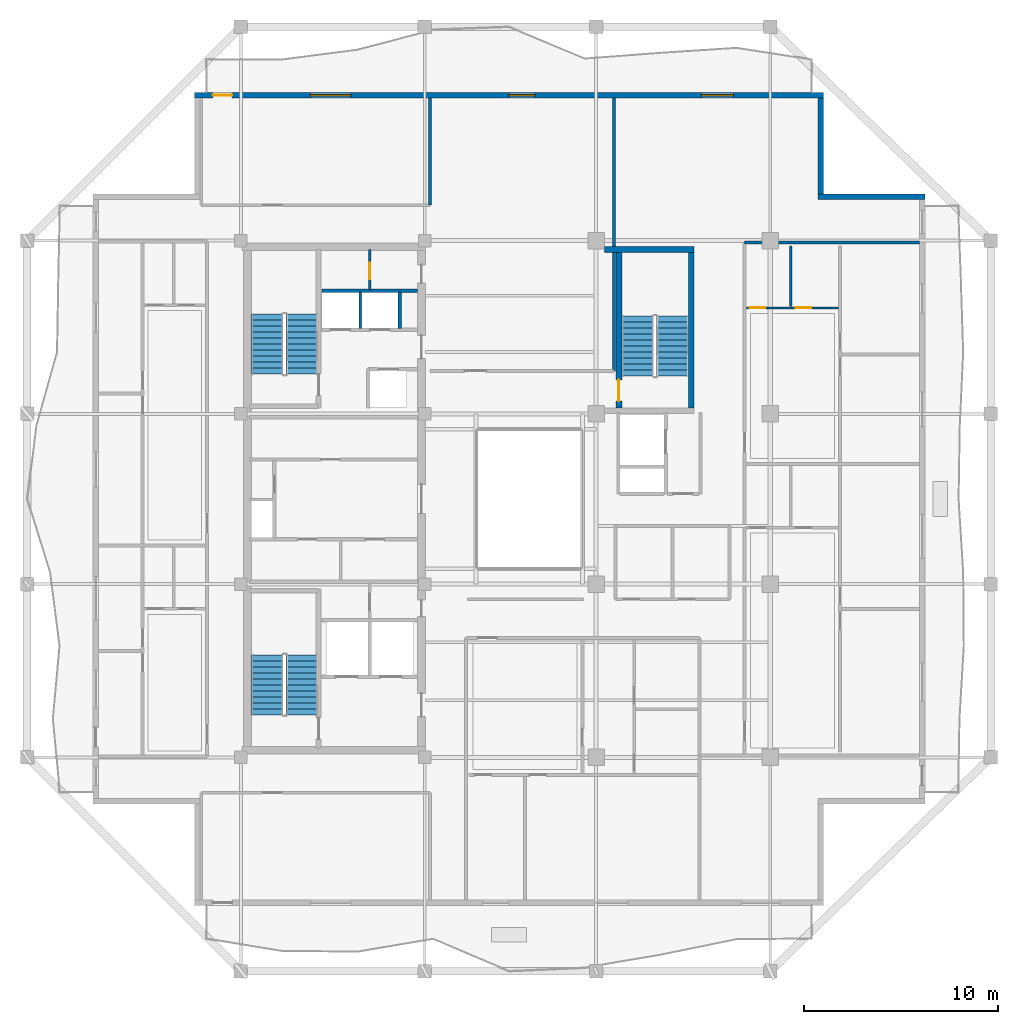
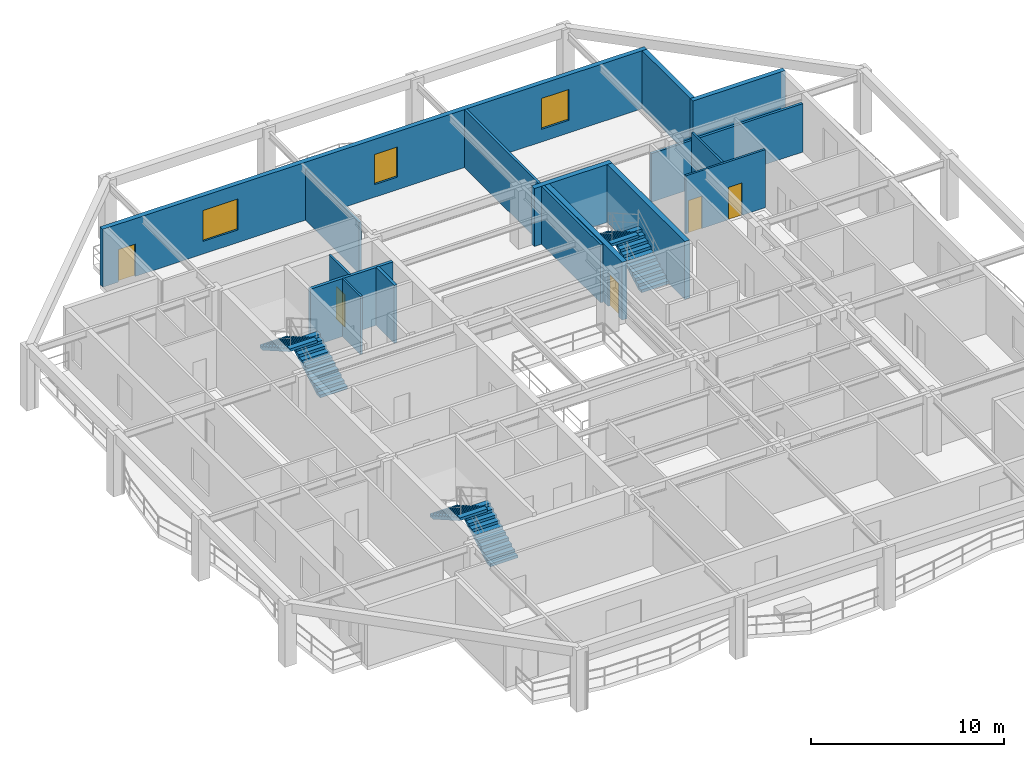
# One storey, part 6 of 12: 15 walls, 6 stair flights, 5 doors, 3 windows, 8 openings, 3 elements without a shape of their own.
"""IFC4 building model written with IfcOpenShell, lengths in metres."""

from ifc_helpers import new_model, si_unit, direction, frame, frame_2d, origin, place, context, subcontext, project, spatial, polyline, rectangle, outline, extrude, material, layer, layer_set, type_object, element, fill, aggregate, save


model = new_model("IFC4")

# Units and contexts
model_context = context("Model", 3, precision=1e-05, world=origin(), true_north=direction((0.0, 1.0)))
body_context = subcontext(model_context, "Body", "Model", "MODEL_VIEW")
ifc_project = project(units=[si_unit("LENGTHUNIT", "METRE"), si_unit("AREAUNIT", "SQUARE_METRE"), si_unit("VOLUMEUNIT", "CUBIC_METRE"), si_unit("PLANEANGLEUNIT", "RADIAN"), si_unit("MASSUNIT", "GRAM", prefix="KILO")], contexts=[model_context])

# Site, building, storey
site_placement = place(None, origin())
site = spatial("IfcSite", under=ifc_project, at=site_placement, CompositionType="ELEMENT")
building_placement = place(site_placement, origin())
building = spatial("IfcBuilding", under=site, at=building_placement, Name="Kundavana Baori Tower", CompositionType="ELEMENT")
storey_placement = place(building_placement, frame((0.0, 0.0, 237.5)))
storey = spatial("IfcBuildingStorey", under=building, at=storey_placement, Name="L58", CompositionType="ELEMENT", Elevation=237.5)

# Walls
ifc_material_1 = material(Name="Red-Buff Dholpur Sandstone Cladding on Concrete C40/50", Category="masonry")
ifc_layer_1 = layer(ifc_material_1, 0.280029296875, Name="WL-EXT-SAND-280")
ifc_layer_set_1 = layer_set([ifc_layer_1], Name="Red-Buff Dholpur Sandstone Cladding on Concrete C40/50")
wall_type_1 = type_object("IfcWallType", Name="WL-EXT-SAND-280", PredefinedType="STANDARD", material=ifc_layer_set_1)
wall_1_placement = place(storey_placement, frame((50.800048828125, 44.2099609375, 0.0), z_axis=(0.0, 0.0, 1.0), x_axis=(-1.0, 0.0, 0.0)))
element("IfcWall", 1, at=wall_1_placement, inside=storey, type_object=wall_type_1, Name="L58 Exterior Insulated Facade Wall 05", PredefinedType="STANDARD", context=body_context, shape_type="SweptSolid", body=[
    extrude(rectangle(XDim=5.530029296875, YDim=0.280029296875, at=frame_2d((2.76513671875, 0.0))), origin(), (0.0, 0.0, 1.0), 3.659912109375),
])
wall_2_placement = place(storey_placement, frame((45.409912109375, 44.35009765625, 0.0), z_axis=(0.0, 0.0, 1.0), x_axis=(0.0, 1.0, 0.0)))
element("IfcWall", 2, at=wall_2_placement, inside=storey, type_object=wall_type_1, Name="L58 Exterior Insulated Facade Wall 06", PredefinedType="STANDARD", context=body_context, shape_type="SweptSolid", body=[
    extrude(rectangle(XDim=4.969970703125, YDim=0.280029296875, at=frame_2d((2.48486328125, 0.0))), origin(), (0.0, 0.0, 1.0), 3.659912109375),
])

# Wall, openings, door, windows
wall_3_placement = place(storey_placement, frame((45.550048828125, 49.4599609375, 0.0), z_axis=(0.0, 0.0, 1.0), x_axis=(-1.0, 0.0, 0.0)))
wall_3 = element("IfcWall", 3, at=wall_3_placement, inside=storey, type_object=wall_type_1, Name="L58 Exterior Insulated Facade Wall 07", PredefinedType="STANDARD", context=body_context, shape_type="SweptSolid", body=[
    extrude(rectangle(XDim=32.5, YDim=0.280029296875, at=frame_2d((16.25, 0.0))), origin(), (0.0, 0.0, 1.0), 3.659912109375),
])
opening_1_placement = place(wall_3_placement, frame((30.550048828125, 0.0, 0.0)))
opening_1 = element("IfcOpeningElement", 4, at=opening_1_placement, cuts=wall_3, Name="Opening BD-1", PredefinedType="OPENING", context=body_context, shape_type="SweptSolid", body=[
    extrude(rectangle(XDim=1.0, YDim=2.050048828125, at=frame_2d((0.5, 1.02490234375))), frame((0.0, 0.14990234375, 0.0), z_axis=(0.0, -1.0, 0.0), x_axis=(1.0, 0.0, 0.0)), (0.0, 0.0, 1.0), 0.300048828125),
])
opening_2_placement = place(wall_3_placement, frame((24.4150390625, 0.0, 0.800048828125)))
opening_2 = element("IfcOpeningElement", 5, at=opening_2_placement, cuts=wall_3, Name="Opening W-05", PredefinedType="OPENING", context=body_context, shape_type="SweptSolid", body=[
    extrude(rectangle(XDim=2.10009765625, YDim=1.949951171875, at=frame_2d((1.050048828125, 0.97509765625))), frame((0.0, 0.14990234375, 0.0), z_axis=(0.0, -1.0, 0.0), x_axis=(1.0, 0.0, 0.0)), (0.0, 0.0, 1.0), 0.300048828125),
])
opening_3_placement = place(wall_3_placement, frame((14.905029296875, 0.0, 0.800048828125)))
opening_3 = element("IfcOpeningElement", 6, at=opening_3_placement, cuts=wall_3, Name="Opening W-07", PredefinedType="OPENING", context=body_context, shape_type="SweptSolid", body=[
    extrude(rectangle(XDim=1.35009765625, YDim=1.89990234375, at=frame_2d((0.675048828125, 0.949951171875))), frame((0.0, 0.14990234375, 0.0), z_axis=(0.0, -1.0, 0.0), x_axis=(1.0, 0.0, 0.0)), (0.0, 0.0, 1.0), 0.300048828125),
])
opening_4_placement = place(wall_3_placement, frame((4.64501953125, 0.0, 0.800048828125)))
opening_4 = element("IfcOpeningElement", 7, at=opening_4_placement, cuts=wall_3, Name="Opening W-08", PredefinedType="OPENING", context=body_context, shape_type="SweptSolid", body=[
    extrude(rectangle(XDim=1.64990234375, YDim=1.949951171875, at=frame_2d((0.824951171875, 0.97509765625))), frame((0.0, 0.14990234375, 0.0), z_axis=(0.0, -1.0, 0.0), x_axis=(1.0, 0.0, 0.0)), (0.0, 0.0, 1.0), 0.300048828125),
])
ifc_material_2 = material(Name="Architectural Patinated Bronze Metalwork")
door_type_1 = type_object("IfcDoorType", Name="DR-EXT-LOG-1000", OperationType="NOTDEFINED", PredefinedType="DOOR", material=ifc_material_2)
door_1_placement = place(opening_1_placement, frame((1.0, 0.0, 0.0), z_axis=(0.0, 0.0, 1.0), x_axis=(-1.0, 0.0, 0.0)))
door_1 = element("IfcDoor", 8, at=door_1_placement, inside=storey, type_object=door_type_1, Name="L58 Loggia Balcony Access Door N", OperationType="SINGLE_SWING_LEFT", OverallHeight=2.050048828125, OverallWidth=1.0, PredefinedType="DOOR", context=body_context, shape_type="SweptSolid", body=[
    extrude(rectangle(XDim=1.0, YDim=2.050048828125, at=frame_2d((0.5, 1.02490234375))), frame((0.0, 0.02490234375, 0.0), z_axis=(0.0, -1.0, 0.0), x_axis=(1.0, 0.0, 0.0)), (0.0, 0.0, 1.0), 0.050048828125),
])
fill(opening_1, door_1)
ifc_material_3 = material(Name="Double-Glazed Solar-Control Low-E Insulated Glass", Category="glass")
window_type_1 = type_object("IfcWindowType", Name="WIN-LOG-1350x1900", PartitioningType="SINGLE_PANEL", PredefinedType="WINDOW", material=ifc_material_3)
window_1_placement = place(opening_3_placement, origin())
window_1 = element("IfcWindow", 9, at=window_1_placement, inside=storey, type_object=window_type_1, Name="L58 Recessed Loggia Window N-2", OverallHeight=1.89990234375, OverallWidth=1.35009765625, PartitioningType="SINGLE_PANEL", PredefinedType="WINDOW", context=body_context, shape_type="SweptSolid", body=[
    extrude(rectangle(XDim=1.35009765625, YDim=1.89990234375, at=frame_2d((0.675048828125, 0.949951171875))), frame((0.0, 0.030029296875, 0.0), z_axis=(0.0, -1.0, 0.0), x_axis=(1.0, 0.0, 0.0)), (0.0, 0.0, 1.0), 0.06005859375),
])
fill(opening_3, window_1)
ifc_material_4 = material(Name="Double-Glazed Solar-Control Low-E Insulated Glass", Category="glass")
window_type_2 = type_object("IfcWindowType", Name="WIN-LOG-1650x1950", PartitioningType="SINGLE_PANEL", PredefinedType="WINDOW", material=ifc_material_4)
window_2_placement = place(opening_4_placement, origin())
window_2 = element("IfcWindow", 10, at=window_2_placement, inside=storey, type_object=window_type_2, Name="L58 Recessed Loggia Window N-3", OverallHeight=1.949951171875, OverallWidth=1.64990234375, PartitioningType="SINGLE_PANEL", PredefinedType="WINDOW", context=body_context, shape_type="SweptSolid", body=[
    extrude(rectangle(XDim=1.64990234375, YDim=1.949951171875, at=frame_2d((0.824951171875, 0.97509765625))), frame((0.0, 0.030029296875, 0.0), z_axis=(0.0, -1.0, 0.0), x_axis=(1.0, 0.0, 0.0)), (0.0, 0.0, 1.0), 0.06005859375),
])
fill(opening_4, window_2)
ifc_material_5 = material(Name="Double-Glazed Solar-Control Low-E Insulated Glass", Category="glass")
window_type_3 = type_object("IfcWindowType", Name="WIN-LOG-2100x1950", PartitioningType="SINGLE_PANEL", PredefinedType="WINDOW", material=ifc_material_5)
window_3_placement = place(opening_2_placement, origin())
window_3 = element("IfcWindow", 11, at=window_3_placement, inside=storey, type_object=window_type_3, Name="L58 Recessed Loggia Window N-1", OverallHeight=1.949951171875, OverallWidth=2.10009765625, PartitioningType="SINGLE_PANEL", PredefinedType="WINDOW", context=body_context, shape_type="SweptSolid", body=[
    extrude(rectangle(XDim=2.10009765625, YDim=1.949951171875, at=frame_2d((1.050048828125, 0.97509765625))), frame((0.0, 0.030029296875, 0.0), z_axis=(0.0, -1.0, 0.0), x_axis=(1.0, 0.0, 0.0)), (0.0, 0.0, 1.0), 0.06005859375),
])
fill(opening_2, window_3)

# Wall
ifc_material_6 = material(Name="Acoustic Gypsum Plasterboard on Galvanised Steel Studs", Category="steel")
ifc_layer_2 = layer(ifc_material_6, 0.1201171875, Name="WL-PART-120")
ifc_layer_set_2 = layer_set([ifc_layer_2], Name="Acoustic Gypsum Plasterboard on Galvanised Steel Studs")
wall_type_2 = type_object("IfcWallType", Name="WL-PART-120", PredefinedType="PARTITIONING", material=ifc_layer_set_2)
wall_4_placement = place(storey_placement, frame((21.6201171875, 37.39990234375, 0.0), z_axis=(0.0, 0.0, 1.0), x_axis=(0.0, 1.0, 0.0)))
element("IfcWall", 12, at=wall_4_placement, inside=storey, type_object=wall_type_2, Name="WL-L58-HR-DIV1", PredefinedType="PARTITIONING", context=body_context, shape_type="SweptSolid", body=[
    extrude(rectangle(XDim=1.900146484375, YDim=0.1201171875, at=frame_2d((0.9501953125, 0.0))), origin(), (0.0, 0.0, 1.0), 3.659912109375),
])

# Wall, opening, door
wall_5_placement = place(storey_placement, frame((22.10009765625, 39.39990234375, 0.0), z_axis=(0.0, 0.0, 1.0), x_axis=(0.0, 1.0, 0.0)))
wall_5 = element("IfcWall", 13, at=wall_5_placement, inside=storey, type_object=wall_type_2, Name="WL-L58-CSRV-D1", PredefinedType="PARTITIONING", context=body_context, shape_type="SweptSolid", body=[
    extrude(rectangle(XDim=2.080078125, YDim=0.1201171875, at=frame_2d((1.0400390625, 0.0))), origin(), (0.0, 0.0, 1.0), 3.659912109375),
])
opening_5_placement = place(wall_5_placement, frame((0.550048828125, 0.0, 0.0)))
opening_5 = element("IfcOpeningElement", 14, at=opening_5_placement, cuts=wall_5, Name="Opening FD-085", PredefinedType="OPENING", context=body_context, shape_type="SweptSolid", body=[
    extrude(rectangle(XDim=0.85009765625, YDim=2.06005859375, at=frame_2d((0.425048828125, 1.030029296875))), frame((0.0, 0.070068359375, 0.0), z_axis=(0.0, -1.0, 0.0), x_axis=(1.0, 0.0, 0.0)), (0.0, 0.0, 1.0), 0.14013671875),
])
ifc_material_7 = material(Name="Galvanised Steel Fire-Rated Door Leaf", Category="steel")
door_type_2 = type_object("IfcDoorType", Name="DR-FD60-850", OperationType="NOTDEFINED", PredefinedType="DOOR", material=ifc_material_7)
door_2_placement = place(opening_5_placement, origin())
door_2 = element("IfcDoor", 15, at=door_2_placement, inside=storey, type_object=door_type_2, Name="DR-L58-CSRV1", OperationType="SINGLE_SWING_LEFT", OverallHeight=2.06005859375, OverallWidth=0.85009765625, PredefinedType="DOOR", context=body_context, shape_type="SweptSolid", body=[
    extrude(rectangle(XDim=0.85009765625, YDim=2.06005859375, at=frame_2d((0.425048828125, 1.030029296875))), frame((0.0, 0.02490234375, 0.0), z_axis=(0.0, -1.0, 0.0), x_axis=(1.0, 0.0, 0.0)), (0.0, 0.0, 1.0), 0.050048828125),
])
fill(opening_5, door_2)

# Walls
ifc_material_8 = material(Name="Fire-Rated Gypsum Drywall on Galvanised Steel Studs", Category="steel")
ifc_layer_3 = layer(ifc_material_8, 0.14990234375, Name="WL-PART-150")
ifc_layer_set_3 = layer_set([ifc_layer_3], Name="Fire-Rated Gypsum Drywall on Galvanised Steel Studs")
wall_type_3 = type_object("IfcWallType", Name="WL-PART-150", PredefinedType="PARTITIONING", material=ifc_layer_set_3)
wall_6_placement = place(storey_placement, frame((25.219970703125, 43.780029296875, 0.0), z_axis=(0.0, 0.0, 1.0), x_axis=(0.0, 1.0, 0.0)))
element("IfcWall", 16, at=wall_6_placement, inside=storey, type_object=wall_type_3, Name="WL-L58-RNCE", PredefinedType="PARTITIONING", context=body_context, shape_type="SweptSolid", body=[
    extrude(rectangle(XDim=5.5400390625, YDim=0.14990234375, at=frame_2d((2.77001953125, 0.0))), origin(), (0.0, 0.0, 1.0), 3.2099609375),
])
wall_7_placement = place(storey_placement, frame((34.719970703125, 35.219970703125, 0.0), z_axis=(0.0, 0.0, 1.0), x_axis=(0.0, 1.0, 0.0)))
element("IfcWall", 17, at=wall_7_placement, inside=storey, type_object=wall_type_3, Name="WL-L58-RNEND", PredefinedType="PARTITIONING", context=body_context, shape_type="SweptSolid", body=[
    extrude(rectangle(XDim=14.10009765625, YDim=0.14990234375, at=frame_2d((7.050048828125, 0.0))), origin(), (0.0, 0.0, 1.0), 3.659912109375),
])
wall_8_placement = place(storey_placement, frame((41.47998046875, 41.85009765625, 0.0), z_axis=(0.0, 0.0, 1.0), x_axis=(1.0, 0.0, 0.0)))
element("IfcWall", 18, at=wall_8_placement, inside=storey, type_object=wall_type_3, Name="WL-L58-REN", PredefinedType="PARTITIONING", context=body_context, shape_type="SweptSolid", body=[
    extrude(rectangle(XDim=9.0400390625, YDim=0.14990234375, at=frame_2d((4.52001953125, 0.0))), origin(), (0.0, 0.0, 1.0), 3.06005859375),
])
ifc_material_9 = material(Name="Autoclaved Aerated Concrete Blockwork Masonry", Category="masonry")
ifc_layer_4 = layer(ifc_material_9, 0.179931640625, Name="WL-SHAFT-180")
ifc_layer_set_4 = layer_set([ifc_layer_4], Name="Autoclaved Aerated Concrete Blockwork Masonry")
wall_type_4 = type_object("IfcWallType", Name="WL-SHAFT-180", PredefinedType="SOLIDWALL", material=ifc_layer_set_4)
wall_9_placement = place(storey_placement, frame((19.639892578125, 39.360107421875, 0.0), z_axis=(0.0, 0.0, 1.0), x_axis=(1.0, 0.0, 0.0)))
element("IfcWall", 19, at=wall_9_placement, inside=storey, type_object=wall_type_4, Name="WL-L58-HRLOB-TOP", PredefinedType="SOLIDWALL", context=body_context, shape_type="SweptSolid", body=[
    extrude(rectangle(XDim=4.940185546875, YDim=0.179931640625, at=frame_2d((2.47021484375, 0.0))), origin(), (0.0, 0.0, 1.0), 3.659912109375),
])
wall_10_placement = place(storey_placement, frame((23.659912109375, 37.39990234375, 0.0), z_axis=(0.0, 0.0, 1.0), x_axis=(0.0, 1.0, 0.0)))
element("IfcWall", 20, at=wall_10_placement, inside=storey, type_object=wall_type_4, Name="WL-L58-HR-DIV2", PredefinedType="SOLIDWALL", context=body_context, shape_type="SweptSolid", body=[
    extrude(rectangle(XDim=1.900146484375, YDim=0.179931640625, at=frame_2d((0.9501953125, 0.0))), origin(), (0.0, 0.0, 1.0), 3.659912109375),
])
ifc_material_10 = material(Name="Concrete C50/60", Category="concrete")
ifc_layer_5 = layer(ifc_material_10, 0.300048828125, Name="WL-ST3-300")
ifc_layer_set_5 = layer_set([ifc_layer_5], Name="Concrete C50/60")
wall_type_5 = type_object("IfcWallType", Name="WL-ST3-300", PredefinedType="SHEAR", material=ifc_layer_set_5)
wall_11_placement = place(storey_placement, frame((34.22509765625, 41.489990234375, 0.0), z_axis=(0.0, 0.0, 1.0), x_axis=(1.0, 0.0, 0.0)))
element("IfcWall", 21, at=wall_11_placement, inside=storey, type_object=wall_type_5, Name="L58 Stair ST3 North Shear Wall", PredefinedType="SHEAR", context=body_context, shape_type="SweptSolid", body=[
    extrude(rectangle(XDim=4.64501953125, YDim=0.300048828125, at=frame_2d((2.322509765625, 0.0))), origin(), (0.0, 0.0, 1.0), 3.659912109375),
])

# Wall, opening, door
wall_12_placement = place(storey_placement, frame((34.97998046875, 33.31005859375, 0.0), z_axis=(0.0, 0.0, 1.0), x_axis=(0.0, 1.0, 0.0)))
wall_12 = element("IfcWall", 22, at=wall_12_placement, inside=storey, type_object=wall_type_5, Name="L58 Stair ST3 West Shear Wall", PredefinedType="SHEAR", context=body_context, shape_type="SweptSolid", body=[
    extrude(rectangle(XDim=8.030029296875, YDim=0.300048828125, at=frame_2d((4.01513671875, 0.0))), origin(), (0.0, 0.0, 1.0), 3.659912109375),
])
opening_6_placement = place(wall_12_placement, frame((0.35009765625, 0.0, 0.0)))
opening_6 = element("IfcOpeningElement", 23, at=opening_6_placement, cuts=wall_12, Name="Opening FD-110", PredefinedType="OPENING", context=body_context, shape_type="SweptSolid", body=[
    extrude(rectangle(XDim=1.10009765625, YDim=2.10009765625, at=frame_2d((0.550048828125, 1.050048828125))), frame((0.0, 0.16015625, 0.0), z_axis=(0.0, -1.0, 0.0), x_axis=(1.0, 0.0, 0.0)), (0.0, 0.0, 1.0), 0.320068359375),
])
ifc_material_11 = material(Name="Galvanised Steel Fire-Rated Door Leaf", Category="steel")
door_type_3 = type_object("IfcDoorType", Name="DR-FD120-1100", OperationType="NOTDEFINED", PredefinedType="DOOR", material=ifc_material_11)
door_3_placement = place(opening_6_placement, origin())
door_3 = element("IfcDoor", 24, at=door_3_placement, inside=storey, type_object=door_type_3, Name="DR-L58-ST3-W", OperationType="SINGLE_SWING_LEFT", OverallHeight=2.10009765625, OverallWidth=1.10009765625, PredefinedType="DOOR", context=body_context, shape_type="SweptSolid", body=[
    extrude(rectangle(XDim=1.10009765625, YDim=2.10009765625, at=frame_2d((0.550048828125, 1.050048828125))), frame((0.0, 0.02490234375, 0.0), z_axis=(0.0, -1.0, 0.0), x_axis=(1.0, 0.0, 0.0)), (0.0, 0.0, 1.0), 0.050048828125),
])
fill(opening_6, door_3)

# Wall
wall_13_placement = place(storey_placement, frame((38.719970703125, 33.31005859375, 0.0), z_axis=(0.0, 0.0, 1.0), x_axis=(0.0, 1.0, 0.0)))
element("IfcWall", 25, at=wall_13_placement, inside=storey, type_object=wall_type_5, Name="L58 Stair ST3 East Shear Wall", PredefinedType="SHEAR", context=body_context, shape_type="SweptSolid", body=[
    extrude(rectangle(XDim=8.030029296875, YDim=0.300048828125, at=frame_2d((4.01513671875, 0.0))), origin(), (0.0, 0.0, 1.0), 3.659912109375),
])

# Wall, openings, doors
ifc_material_12 = material(Name="Autoclaved Aerated Concrete Blockwork Masonry", Category="masonry")
ifc_layer_6 = layer(ifc_material_12, 0.125, Name="WL-WET-120")
ifc_layer_set_6 = layer_set([ifc_layer_6], Name="Autoclaved Aerated Concrete Blockwork Masonry")
wall_type_6 = type_object("IfcWallType", Name="WL-WET-120", PredefinedType="PLUMBINGWALL", material=ifc_layer_set_6)
wall_14_placement = place(storey_placement, frame((41.580078125, 38.469970703125, 0.0), z_axis=(0.0, 0.0, 1.0), x_axis=(1.0, 0.0, 0.0)))
wall_14 = element("IfcWall", 26, at=wall_14_placement, inside=storey, type_object=wall_type_6, Name="WL-L58-E2-KH", PredefinedType="PLUMBINGWALL", context=body_context, shape_type="SweptSolid", body=[
    extrude(rectangle(XDim=4.747802734375, YDim=0.125, at=frame_2d((2.3740234375, 0.0))), origin(), (0.0, 0.0, 1.0), 3.659912109375),
])
opening_7_placement = place(wall_14_placement, frame((0.159912109375, 0.0, 0.0)))
opening_7 = element("IfcOpeningElement", 27, at=opening_7_placement, cuts=wall_14, Name="Opening WD-080", PredefinedType="OPENING", context=body_context, shape_type="SweptSolid", body=[
    extrude(rectangle(XDim=0.800048828125, YDim=2.050048828125, at=frame_2d((0.39990234375, 1.02490234375))), frame((0.0, 0.072509765625, 0.0), z_axis=(0.0, -1.0, 0.0), x_axis=(1.0, 0.0, 0.0)), (0.0, 0.0, 1.0), 0.14501953125),
])
opening_8_placement = place(wall_14_placement, frame((2.5390625, 0.0, 0.0)))
opening_8 = element("IfcOpeningElement", 28, at=opening_8_placement, cuts=wall_14, Name="Opening WD-080", PredefinedType="OPENING", context=body_context, shape_type="SweptSolid", body=[
    extrude(rectangle(XDim=0.800048828125, YDim=2.050048828125, at=frame_2d((0.39990234375, 1.02490234375))), frame((0.0, 0.072509765625, 0.0), z_axis=(0.0, -1.0, 0.0), x_axis=(1.0, 0.0, 0.0)), (0.0, 0.0, 1.0), 0.14501953125),
])
ifc_material_13 = material(Name="Engineered Teak Solid-Core Timber Veneer", Category="wood")
door_type_4 = type_object("IfcDoorType", Name="DR-WET-800", OperationType="NOTDEFINED", PredefinedType="DOOR", material=ifc_material_13)
door_4_placement = place(opening_7_placement, origin())
door_4 = element("IfcDoor", 29, at=door_4_placement, inside=storey, type_object=door_type_4, Name="DR-L58-E2-BT", OperationType="SINGLE_SWING_LEFT", OverallHeight=2.050048828125, OverallWidth=0.800048828125, PredefinedType="DOOR", context=body_context, shape_type="SweptSolid", body=[
    extrude(rectangle(XDim=0.800048828125, YDim=2.050048828125, at=frame_2d((0.39990234375, 1.02490234375))), frame((0.0, 0.02490234375, 0.0), z_axis=(0.0, -1.0, 0.0), x_axis=(1.0, 0.0, 0.0)), (0.0, 0.0, 1.0), 0.050048828125),
])
fill(opening_7, door_4)
door_5_placement = place(opening_8_placement, origin())
door_5 = element("IfcDoor", 30, at=door_5_placement, inside=storey, type_object=door_type_4, Name="DR-L58-E2-KT", OperationType="SINGLE_SWING_RIGHT", OverallHeight=2.050048828125, OverallWidth=0.800048828125, PredefinedType="DOOR", context=body_context, shape_type="SweptSolid", body=[
    extrude(rectangle(XDim=0.800048828125, YDim=2.050048828125, at=frame_2d((0.39990234375, 1.02490234375))), frame((0.0, 0.02490234375, 0.0), z_axis=(0.0, -1.0, 0.0), x_axis=(1.0, 0.0, 0.0)), (0.0, 0.0, 1.0), 0.050048828125),
])
fill(opening_8, door_5)

# Wall
wall_15_placement = place(storey_placement, frame((43.85888671875, 38.550048828125, 0.0), z_axis=(0.0, 0.0, 1.0), x_axis=(0.0, 1.0, 0.0)))
element("IfcWall", 31, at=wall_15_placement, inside=storey, type_object=wall_type_6, Name="WL-L58-E2-BV", PredefinedType="PLUMBINGWALL", context=body_context, shape_type="SweptSolid", body=[
    extrude(rectangle(XDim=3.119873046875, YDim=0.125, at=frame_2d((1.56005859375, 0.0))), origin(), (0.0, 0.0, 1.0), 3.659912109375),
])

# Stair, stair flights
ifc_material_14 = material(Name="Concrete C40/50", Category="concrete")
stair_type = type_object("IfcStairType", Name="STR-DOG-1650", PredefinedType="HALF_TURN_STAIR", material=ifc_material_14)
stair_1_placement = place(storey_placement, origin())
stair_1 = element("IfcStair", 32, at=stair_1_placement, inside=storey, type_object=stair_type, Name="L58 Protected Exit Stair ST1", PredefinedType="HALF_TURN_STAIR")
ifc_material_15 = material(Name="Concrete C40/50", Category="concrete")
stair_flight_type = type_object("IfcStairFlightType", Name="SFL-RC-1650", PredefinedType="STRAIGHT", material=ifc_material_15)
stair_flight_1_placement = place(storey_placement, frame((18.614990234375, 17.449951171875, 0.0), z_axis=(0.0, 0.0, 1.0), x_axis=(0.0, 1.0, 0.0)))
stair_flight_1 = element("IfcStairFlight", 33, at=stair_flight_1_placement, type_object=stair_flight_type, Name="ST1 flight 1", NumberOfRisers=11, NumberOfTreads=10, PredefinedType="STRAIGHT", RiserHeight=0.177272727, TreadLength=0.31, context=body_context, shape_type="SweptSolid", body=[
    extrude(outline(polyline([(0.0, 0.0), (0.0, 0.17724609375), (0.31005859375, 0.17724609375), (0.31005859375, 0.3544921875), (0.6201171875, 0.3544921875), (0.6201171875, 0.53173828125), (0.929931640625, 0.53173828125), (0.929931640625, 0.708984375), (1.239990234375, 0.708984375), (1.239990234375, 0.886474609375), (1.550048828125, 0.886474609375), (1.550048828125, 1.063720703125), (1.860107421875, 1.063720703125), (1.860107421875, 1.240966796875), (2.169921875, 1.240966796875), (2.169921875, 1.418212890625), (2.47998046875, 1.418212890625), (2.47998046875, 1.595458984375), (2.7900390625, 1.595458984375), (2.7900390625, 1.772705078125), (3.10009765625, 1.772705078125), (3.10009765625, 1.949951171875), (3.10009765625, 1.60009765625), (0.302001953125, 0.0), (0.0, 0.0)])), frame((0.0, 0.824951171875, 0.0), z_axis=(0.0, -1.0, 0.0), x_axis=(1.0, 0.0, 0.0)), (0.0, 0.0, 1.0), 1.64990234375),
])
stair_flight_2_placement = place(storey_placement, frame((16.804931640625, 20.550048828125, 1.949951171875), z_axis=(0.0, 0.0, 1.0), x_axis=(0.0, -1.0, 0.0)))
stair_flight_2 = element("IfcStairFlight", 34, at=stair_flight_2_placement, type_object=stair_flight_type, Name="ST1 flight 2", NumberOfRisers=11, NumberOfTreads=10, PredefinedType="STRAIGHT", RiserHeight=0.177272727, TreadLength=0.31, context=body_context, shape_type="SweptSolid", body=[
    extrude(outline(polyline([(0.0, 0.0), (0.0, 0.17724609375), (0.31005859375, 0.17724609375), (0.31005859375, 0.3544921875), (0.6201171875, 0.3544921875), (0.6201171875, 0.53173828125), (0.929931640625, 0.53173828125), (0.929931640625, 0.708984375), (1.239990234375, 0.708984375), (1.239990234375, 0.886474609375), (1.550048828125, 0.886474609375), (1.550048828125, 1.063720703125), (1.860107421875, 1.063720703125), (1.860107421875, 1.240966796875), (2.169921875, 1.240966796875), (2.169921875, 1.418212890625), (2.47998046875, 1.418212890625), (2.47998046875, 1.595458984375), (2.7900390625, 1.595458984375), (2.7900390625, 1.772705078125), (3.10009765625, 1.772705078125), (3.10009765625, 1.949951171875), (3.10009765625, 1.60009765625), (0.302001953125, 0.0), (0.0, 0.0)])), frame((0.0, 0.824951171875, 0.0), z_axis=(0.0, -1.0, 0.0), x_axis=(1.0, 0.0, 0.0)), (0.0, 0.0, 1.0), 1.64990234375),
])
aggregate(stair_1, [stair_flight_1, stair_flight_2])

stair_2_placement = place(storey_placement, origin())
stair_2 = element("IfcStair", 35, at=stair_2_placement, inside=storey, type_object=stair_type, Name="L58 Protected Exit Stair ST2", PredefinedType="HALF_TURN_STAIR")
stair_flight_3_placement = place(storey_placement, frame((18.614990234375, 35.050048828125, 0.0), z_axis=(0.0, 0.0, 1.0), x_axis=(0.0, 1.0, 0.0)))
stair_flight_3 = element("IfcStairFlight", 36, at=stair_flight_3_placement, type_object=stair_flight_type, Name="ST2 flight 1", NumberOfRisers=11, NumberOfTreads=10, PredefinedType="STRAIGHT", RiserHeight=0.177272727, TreadLength=0.31, context=body_context, shape_type="SweptSolid", body=[
    extrude(outline(polyline([(0.0, 0.0), (0.0, 0.17724609375), (0.31005859375, 0.17724609375), (0.31005859375, 0.3544921875), (0.6201171875, 0.3544921875), (0.6201171875, 0.53173828125), (0.929931640625, 0.53173828125), (0.929931640625, 0.708984375), (1.239990234375, 0.708984375), (1.239990234375, 0.886474609375), (1.550048828125, 0.886474609375), (1.550048828125, 1.063720703125), (1.860107421875, 1.063720703125), (1.860107421875, 1.240966796875), (2.169921875, 1.240966796875), (2.169921875, 1.418212890625), (2.47998046875, 1.418212890625), (2.47998046875, 1.595458984375), (2.7900390625, 1.595458984375), (2.7900390625, 1.772705078125), (3.10009765625, 1.772705078125), (3.10009765625, 1.949951171875), (3.10009765625, 1.60009765625), (0.302001953125, 0.0), (0.0, 0.0)])), frame((0.0, 0.824951171875, 0.0), z_axis=(0.0, -1.0, 0.0), x_axis=(1.0, 0.0, 0.0)), (0.0, 0.0, 1.0), 1.64990234375),
])
stair_flight_4_placement = place(storey_placement, frame((16.804931640625, 38.14990234375, 1.949951171875), z_axis=(0.0, 0.0, 1.0), x_axis=(0.0, -1.0, 0.0)))
stair_flight_4 = element("IfcStairFlight", 37, at=stair_flight_4_placement, type_object=stair_flight_type, Name="ST2 flight 2", NumberOfRisers=11, NumberOfTreads=10, PredefinedType="STRAIGHT", RiserHeight=0.177272727, TreadLength=0.31, context=body_context, shape_type="SweptSolid", body=[
    extrude(outline(polyline([(0.0, 0.0), (0.0, 0.17724609375), (0.31005859375, 0.17724609375), (0.31005859375, 0.3544921875), (0.6201171875, 0.3544921875), (0.6201171875, 0.53173828125), (0.929931640625, 0.53173828125), (0.929931640625, 0.708984375), (1.239990234375, 0.708984375), (1.239990234375, 0.886474609375), (1.550048828125, 0.886474609375), (1.550048828125, 1.063720703125), (1.860107421875, 1.063720703125), (1.860107421875, 1.240966796875), (2.169921875, 1.240966796875), (2.169921875, 1.418212890625), (2.47998046875, 1.418212890625), (2.47998046875, 1.595458984375), (2.7900390625, 1.595458984375), (2.7900390625, 1.772705078125), (3.10009765625, 1.772705078125), (3.10009765625, 1.949951171875), (3.10009765625, 1.60009765625), (0.302001953125, 0.0), (0.0, 0.0)])), frame((0.0, 0.824951171875, 0.0), z_axis=(0.0, -1.0, 0.0), x_axis=(1.0, 0.0, 0.0)), (0.0, 0.0, 1.0), 1.64990234375),
])
aggregate(stair_2, [stair_flight_3, stair_flight_4])

stair_3_placement = place(storey_placement, origin())
stair_3 = element("IfcStair", 38, at=stair_3_placement, inside=storey, type_object=stair_type, Name="L58 Protected Exit Stair ST3", PredefinedType="HALF_TURN_STAIR")
stair_flight_5_placement = place(storey_placement, frame((37.7548828125, 34.949951171875, 0.0), z_axis=(0.0, 0.0, 1.0), x_axis=(0.0, 1.0, 0.0)))
stair_flight_5 = element("IfcStairFlight", 39, at=stair_flight_5_placement, type_object=stair_flight_type, Name="ST3 flight 1", NumberOfRisers=11, NumberOfTreads=10, PredefinedType="STRAIGHT", RiserHeight=0.177272727, TreadLength=0.31, context=body_context, shape_type="SweptSolid", body=[
    extrude(outline(polyline([(0.0, 0.0), (0.0, 0.17724609375), (0.31005859375, 0.17724609375), (0.31005859375, 0.3544921875), (0.6201171875, 0.3544921875), (0.6201171875, 0.53173828125), (0.929931640625, 0.53173828125), (0.929931640625, 0.708984375), (1.239990234375, 0.708984375), (1.239990234375, 0.886474609375), (1.550048828125, 0.886474609375), (1.550048828125, 1.063720703125), (1.860107421875, 1.063720703125), (1.860107421875, 1.240966796875), (2.169921875, 1.240966796875), (2.169921875, 1.418212890625), (2.47998046875, 1.418212890625), (2.47998046875, 1.595458984375), (2.7900390625, 1.595458984375), (2.7900390625, 1.772705078125), (3.10009765625, 1.772705078125), (3.10009765625, 1.949951171875), (3.10009765625, 1.60009765625), (0.302001953125, 0.0), (0.0, 0.0)])), frame((0.0, 0.824951171875, 0.0), z_axis=(0.0, -1.0, 0.0), x_axis=(1.0, 0.0, 0.0)), (0.0, 0.0, 1.0), 1.64990234375),
])
stair_flight_6_placement = place(storey_placement, frame((35.945068359375, 38.050048828125, 1.949951171875), z_axis=(0.0, 0.0, 1.0), x_axis=(0.0, -1.0, 0.0)))
stair_flight_6 = element("IfcStairFlight", 40, at=stair_flight_6_placement, type_object=stair_flight_type, Name="ST3 flight 2", NumberOfRisers=11, NumberOfTreads=10, PredefinedType="STRAIGHT", RiserHeight=0.177272727, TreadLength=0.31, context=body_context, shape_type="SweptSolid", body=[
    extrude(outline(polyline([(0.0, 0.0), (0.0, 0.17724609375), (0.31005859375, 0.17724609375), (0.31005859375, 0.3544921875), (0.6201171875, 0.3544921875), (0.6201171875, 0.53173828125), (0.929931640625, 0.53173828125), (0.929931640625, 0.708984375), (1.239990234375, 0.708984375), (1.239990234375, 0.886474609375), (1.550048828125, 0.886474609375), (1.550048828125, 1.063720703125), (1.860107421875, 1.063720703125), (1.860107421875, 1.240966796875), (2.169921875, 1.240966796875), (2.169921875, 1.418212890625), (2.47998046875, 1.418212890625), (2.47998046875, 1.595458984375), (2.7900390625, 1.595458984375), (2.7900390625, 1.772705078125), (3.10009765625, 1.772705078125), (3.10009765625, 1.949951171875), (3.10009765625, 1.60009765625), (0.302001953125, 0.0), (0.0, 0.0)])), frame((0.0, 0.824951171875, 0.0), z_axis=(0.0, -1.0, 0.0), x_axis=(1.0, 0.0, 0.0)), (0.0, 0.0, 1.0), 1.64990234375),
])
aggregate(stair_3, [stair_flight_5, stair_flight_6])

save(model, "model.ifc")
